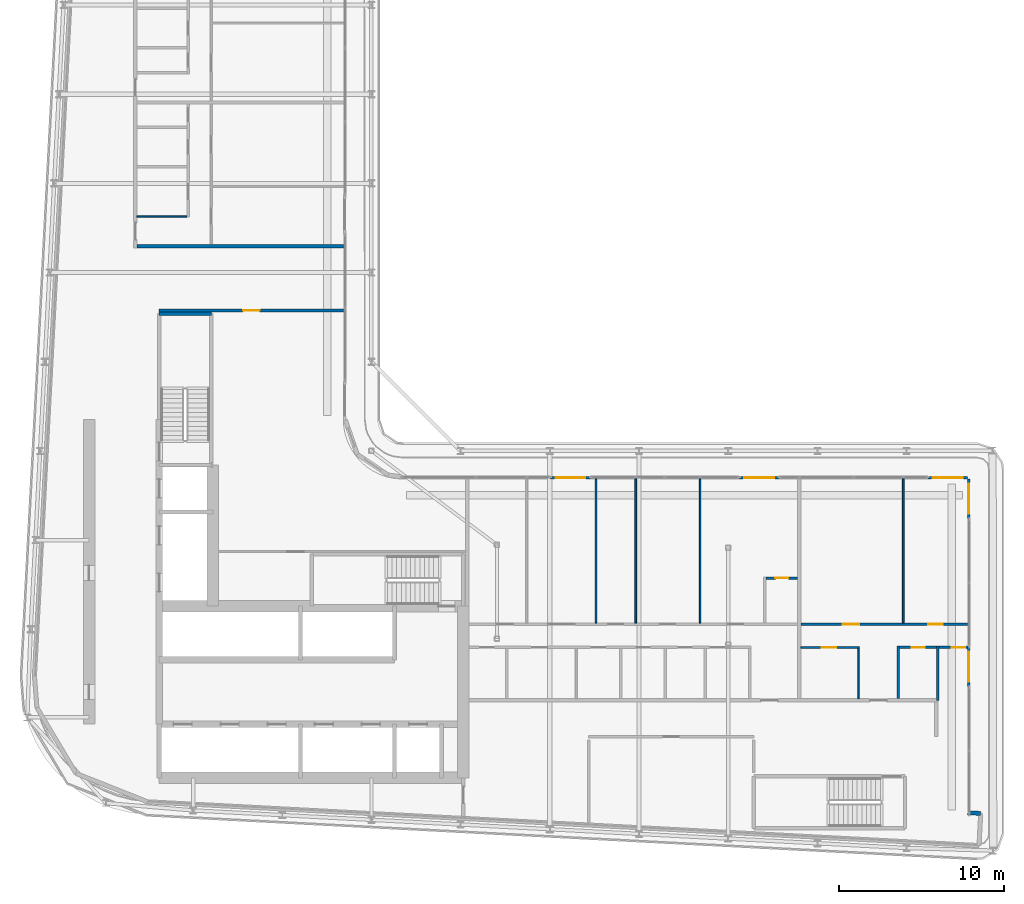
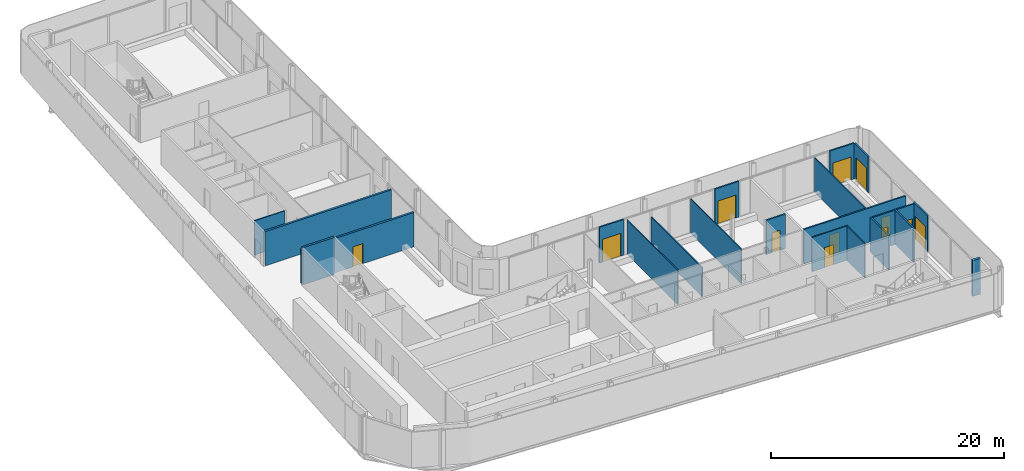
# One storey, part 12 of 21: 22 walls, 12 doors, 12 openings.
"""IFC4 building model written with IfcOpenShell, lengths in metres."""

from ifc_helpers import new_model, si_unit, direction, frame, frame_2d, origin, place, context, subcontext, project, spatial, rectangle, extrude, source, transform, mapped, material, layer, layer_set, type_object, element, fill, save


model = new_model("IFC4")

# Units and contexts
model_context = context("Model", 3, precision=1e-05, world=origin(), true_north=direction((0.0, 1.0)))
body_context = subcontext(model_context, "Body", "Model", "MODEL_VIEW")
ifc_project = project(units=[si_unit("LENGTHUNIT", "METRE"), si_unit("AREAUNIT", "SQUARE_METRE"), si_unit("VOLUMEUNIT", "CUBIC_METRE"), si_unit("PLANEANGLEUNIT", "RADIAN"), si_unit("MASSUNIT", "GRAM", prefix="KILO")], contexts=[model_context])

# Site, building, storey
site_placement = place(None, origin())
site = spatial("IfcSite", under=ifc_project, at=site_placement, CompositionType="ELEMENT")
building_placement = place(site_placement, origin())
building = spatial("IfcBuilding", under=site, at=building_placement, Name="Kheshtan School and Residences Tower", CompositionType="ELEMENT")
storey_placement = place(building_placement, frame((0.0, 0.0, 227.89990234375)))
storey = spatial("IfcBuildingStorey", under=building, at=storey_placement, Name="L53", CompositionType="ELEMENT", Elevation=227.89990234375)

# Wall
ifc_material_1 = material(Name="Gypsum board on steel studs with fire boards", Category="steel")
ifc_layer_1 = layer(ifc_material_1, 0.199951171875)
ifc_layer_set_1 = layer_set([ifc_layer_1], Name="Corridor wall 200")
wall_type_1 = type_object("IfcWallType", Name="Corridor wall 200", PredefinedType="PARTITIONING", material=ifc_layer_set_1)
wall_1_placement = place(storey_placement, frame((33.39990234375, 58.0, 0.0), z_axis=(0.0, 0.0, 1.0), x_axis=(1.0, 0.0, 0.0)))
element("IfcWall", 1, at=wall_1_placement, inside=storey, type_object=wall_type_1, Name="Partition L53-005", PredefinedType="PARTITIONING", context=body_context, shape_type="SweptSolid", body=[
    extrude(rectangle(XDim=12.5, YDim=0.199951171875, at=frame_2d((6.25, 0.0))), origin(), (0.0, 0.0, 1.0), 3.60009765625),
])

# Wall, opening, door
wall_2_placement = place(storey_placement, frame((34.75, 54.10009765625, 0.0), z_axis=(0.0, 0.0, 1.0), x_axis=(1.0, 0.0, 0.0)))
wall_2 = element("IfcWall", 2, at=wall_2_placement, inside=storey, type_object=wall_type_1, Name="Partition L53-014", PredefinedType="PARTITIONING", context=body_context, shape_type="SweptSolid", body=[
    extrude(rectangle(XDim=11.14990234375, YDim=0.199951171875, at=frame_2d((5.574951171875, 0.0))), origin(), (0.0, 0.0, 1.0), 3.60009765625),
])
opening_1_placement = place(wall_2_placement, frame((5.074951171875, 0.0, 0.0)))
opening_1 = element("IfcOpeningElement", 3, at=opening_1_placement, cuts=wall_2, Name="Opening D52-034", PredefinedType="OPENING", context=body_context, shape_type="SweptSolid", body=[
    extrude(rectangle(XDim=1.0, YDim=2.10009765625, at=frame_2d((0.5, 1.050048828125))), frame((0.0, 0.10986328125, 0.0), z_axis=(0.0, -1.0, 0.0), x_axis=(1.0, 0.0, 0.0)), (0.0, 0.0, 1.0), 0.219970703125),
])
ifc_material_2 = material(Name="Steel-framed fire-resisting door leaf", Category="steel")
door_type_1 = type_object("IfcDoorType", Name="Fire door FD60 1000 x 2100", OperationType="SINGLE_SWING_LEFT", PredefinedType="DOOR", material=ifc_material_2)
shared_shape_1 = source(origin(), body_context, "Body", "SweptSolid", [
    extrude(rectangle(XDim=1.0, YDim=2.10009765625, at=frame_2d((0.5, 1.050048828125))), frame((0.0, 0.02490234375, 0.0), z_axis=(0.0, -1.0, 0.0), x_axis=(1.0, 0.0, 0.0)), (0.0, 0.0, 1.0), 0.050048828125),
])
door_1_placement = place(opening_1_placement, origin())
door_1 = element("IfcDoor", 4, at=door_1_placement, inside=storey, type_object=door_type_1, Name="Door D52-034", OperationType="SINGLE_SWING_LEFT", OverallHeight=2.10009765625, OverallWidth=1.0, PredefinedType="DOOR", context=body_context, shape_type="MappedRepresentation", body=[
    mapped(shared_shape_1, transform((0.0, 0.0, 0.0), x_axis=(1.0, 0.0, 0.0), y_axis=(0.0, 1.0, 0.0), z_axis=(0.0, 0.0, 1.0), scale=1.0)),
])
fill(opening_1, door_1)

# Wall
ifc_material_3 = material(Name="Concrete C40/50 with ceramic cladding and mineral wool insulation", Category="concrete")
ifc_layer_2 = layer(ifc_material_3, 0.25)
ifc_layer_set_2 = layer_set([ifc_layer_2], Name="External wall 250 ceramic clad")
wall_type_2 = type_object("IfcWallType", Name="External wall 250 ceramic clad", PredefinedType="SOLIDWALL", material=ifc_layer_set_2)
wall_3_placement = place(storey_placement, frame((83.70703125, 23.69189453125, 0.0), z_axis=(0.0, 0.0, 1.0), x_axis=(0.998561284263, -0.053622398031, 0.0)))
element("IfcWall", 5, at=wall_3_placement, inside=storey, type_object=wall_type_2, Name="External wall L53 10", PredefinedType="SOLIDWALL", context=body_context, shape_type="SweptSolid", body=[
    extrude(rectangle(XDim=0.783203125, YDim=0.25, at=frame_2d((0.3916015625, 0.0))), origin(), (0.0, 0.0, 1.0), 3.75),
])

# Wall, opening, door
ifc_material_4 = material(Name="Aluminium frame wall with insulated infill", Category="aluminium")
ifc_layer_3 = layer(ifc_material_4, 0.14990234375)
ifc_layer_set_3 = layer_set([ifc_layer_3], Name="Glazing frame wall 150")
wall_type_3 = type_object("IfcWallType", Name="Glazing frame wall 150", PredefinedType="SOLIDWALL", material=ifc_layer_set_3)
wall_4_placement = place(storey_placement, frame((58.452880859375, 43.97509765625, 0.0), z_axis=(0.0, 0.0, 1.0), x_axis=(1.0, 0.0, 0.0)))
wall_4 = element("IfcWall", 6, at=wall_4_placement, inside=storey, type_object=wall_type_3, Name="Balcony door wall L53 8.1", PredefinedType="SOLIDWALL", context=body_context, shape_type="SweptSolid", body=[
    extrude(rectangle(XDim=2.400146484375, YDim=0.14990234375, at=frame_2d((1.2001953125, 0.0))), origin(), (0.0, 0.0, 1.0), 3.75),
])
opening_2_placement = place(wall_4_placement, frame((0.300048828125, 0.0, 0.0)))
opening_2 = element("IfcOpeningElement", 7, at=opening_2_placement, cuts=wall_4, Name="Opening BD", PredefinedType="OPENING", context=body_context, shape_type="SweptSolid", body=[
    extrude(rectangle(XDim=1.800048828125, YDim=2.39990234375, at=frame_2d((0.89990234375, 1.199951171875))), frame((0.0, 0.0849609375, 0.0), z_axis=(0.0, -1.0, 0.0), x_axis=(1.0, 0.0, 0.0)), (0.0, 0.0, 1.0), 0.169921875),
])
ifc_material_5 = material(Name="Clear low-e glass in thermally broken aluminium frame", Category="aluminium")
door_type_2 = type_object("IfcDoorType", Name="Balcony sliding door", OperationType="SLIDING_TO_LEFT", PredefinedType="DOOR", material=ifc_material_5)
shared_shape_2 = source(origin(), body_context, "Body", "SweptSolid", [
    extrude(rectangle(XDim=1.800048828125, YDim=2.39990234375, at=frame_2d((0.89990234375, 1.199951171875))), frame((0.0, 0.02490234375, 0.0), z_axis=(0.0, -1.0, 0.0), x_axis=(1.0, 0.0, 0.0)), (0.0, 0.0, 1.0), 0.050048828125),
])
door_2_placement = place(opening_2_placement, origin())
door_2 = element("IfcDoor", 8, at=door_2_placement, inside=storey, type_object=door_type_2, Name="Balcony door L53 8.1", OperationType="SLIDING_TO_LEFT", OverallHeight=2.39990234375, OverallWidth=1.800048828125, PredefinedType="DOOR", context=body_context, shape_type="MappedRepresentation", body=[
    mapped(shared_shape_2, transform((0.0, 0.0, 0.0), x_axis=(1.0, 0.0, 0.0), y_axis=(0.0, 1.0, 0.0), z_axis=(0.0, 0.0, 1.0), scale=1.0)),
])
fill(opening_2, door_2)

wall_5_placement = place(storey_placement, frame((69.876953125, 43.97509765625, 0.0), z_axis=(0.0, 0.0, 1.0), x_axis=(1.0, 0.0, 0.0)))
wall_5 = element("IfcWall", 9, at=wall_5_placement, inside=storey, type_object=wall_type_3, Name="Balcony door wall L53 8.2", PredefinedType="SOLIDWALL", context=body_context, shape_type="SweptSolid", body=[
    extrude(rectangle(XDim=2.400146484375, YDim=0.14990234375, at=frame_2d((1.2001953125, 0.0))), origin(), (0.0, 0.0, 1.0), 3.75),
])
opening_3_placement = place(wall_5_placement, frame((0.300048828125, 0.0, 0.0)))
opening_3 = element("IfcOpeningElement", 10, at=opening_3_placement, cuts=wall_5, Name="Opening BD", PredefinedType="OPENING", context=body_context, shape_type="SweptSolid", body=[
    extrude(rectangle(XDim=1.800048828125, YDim=2.39990234375, at=frame_2d((0.89990234375, 1.199951171875))), frame((0.0, 0.0849609375, 0.0), z_axis=(0.0, -1.0, 0.0), x_axis=(1.0, 0.0, 0.0)), (0.0, 0.0, 1.0), 0.169921875),
])
door_3_placement = place(opening_3_placement, origin())
door_3 = element("IfcDoor", 11, at=door_3_placement, inside=storey, type_object=door_type_2, Name="Balcony door L53 8.2", OperationType="SLIDING_TO_LEFT", OverallHeight=2.39990234375, OverallWidth=1.800048828125, PredefinedType="DOOR", context=body_context, shape_type="MappedRepresentation", body=[
    mapped(shared_shape_2, transform((0.0, 0.0, 0.0), x_axis=(1.0, 0.0, 0.0), y_axis=(0.0, 1.0, 0.0), z_axis=(0.0, 0.0, 1.0), scale=1.0)),
])
fill(opening_3, door_3)

wall_6_placement = place(storey_placement, frame((81.300048828125, 43.97509765625, 0.0), z_axis=(0.0, 0.0, 1.0), x_axis=(1.0, 0.0, 0.0)))
wall_6 = element("IfcWall", 12, at=wall_6_placement, inside=storey, type_object=wall_type_3, Name="Balcony door wall L53 8.3", PredefinedType="SOLIDWALL", context=body_context, shape_type="SweptSolid", body=[
    extrude(rectangle(XDim=2.39990234375, YDim=0.14990234375, at=frame_2d((1.199951171875, 0.0))), origin(), (0.0, 0.0, 1.0), 3.75),
])
opening_4_placement = place(wall_6_placement, frame((0.300048828125, 0.0, 0.0)))
opening_4 = element("IfcOpeningElement", 13, at=opening_4_placement, cuts=wall_6, Name="Opening BD", PredefinedType="OPENING", context=body_context, shape_type="SweptSolid", body=[
    extrude(rectangle(XDim=1.800048828125, YDim=2.39990234375, at=frame_2d((0.89990234375, 1.199951171875))), frame((0.0, 0.0849609375, 0.0), z_axis=(0.0, -1.0, 0.0), x_axis=(1.0, 0.0, 0.0)), (0.0, 0.0, 1.0), 0.169921875),
])
door_4_placement = place(opening_4_placement, origin())
door_4 = element("IfcDoor", 14, at=door_4_placement, inside=storey, type_object=door_type_2, Name="Balcony door L53 8.3", OperationType="SLIDING_TO_LEFT", OverallHeight=2.39990234375, OverallWidth=1.800048828125, PredefinedType="DOOR", context=body_context, shape_type="MappedRepresentation", body=[
    mapped(shared_shape_2, transform((0.0, 0.0, 0.0), x_axis=(1.0, 0.0, 0.0), y_axis=(0.0, 1.0, 0.0), z_axis=(0.0, 0.0, 1.0), scale=1.0)),
])
fill(opening_4, door_4)

wall_7_placement = place(storey_placement, frame((83.77490234375, 43.89990234375, 0.0), z_axis=(0.0, 0.0, 1.0), x_axis=(0.0, -1.0, 0.0)))
wall_7 = element("IfcWall", 15, at=wall_7_placement, inside=storey, type_object=wall_type_3, Name="Balcony door wall L53 9.1", PredefinedType="SOLIDWALL", context=body_context, shape_type="SweptSolid", body=[
    extrude(rectangle(XDim=2.39990234375, YDim=0.14990234375, at=frame_2d((1.199951171875, 0.0))), origin(), (0.0, 0.0, 1.0), 3.75),
])
opening_5_placement = place(wall_7_placement, frame((0.300048828125, 0.0, 0.0)))
opening_5 = element("IfcOpeningElement", 16, at=opening_5_placement, cuts=wall_7, Name="Opening BD", PredefinedType="OPENING", context=body_context, shape_type="SweptSolid", body=[
    extrude(rectangle(XDim=1.800048828125, YDim=2.39990234375, at=frame_2d((0.89990234375, 1.199951171875))), frame((0.0, 0.0849609375, 0.0), z_axis=(0.0, -1.0, 0.0), x_axis=(1.0, 0.0, 0.0)), (0.0, 0.0, 1.0), 0.169921875),
])
door_5_placement = place(opening_5_placement, origin())
door_5 = element("IfcDoor", 17, at=door_5_placement, inside=storey, type_object=door_type_2, Name="Balcony door L53 9.1", OperationType="SLIDING_TO_LEFT", OverallHeight=2.39990234375, OverallWidth=1.800048828125, PredefinedType="DOOR", context=body_context, shape_type="MappedRepresentation", body=[
    mapped(shared_shape_2, transform((0.0, 0.0, 0.0), x_axis=(1.0, 0.0, 0.0), y_axis=(0.0, 1.0, 0.0), z_axis=(0.0, 0.0, 1.0), scale=1.0)),
])
fill(opening_5, door_5)

wall_8_placement = place(storey_placement, frame((83.77490234375, 33.73291015625, 0.0), z_axis=(0.0, 0.0, 1.0), x_axis=(0.0, -1.0, 0.0)))
wall_8 = element("IfcWall", 18, at=wall_8_placement, inside=storey, type_object=wall_type_3, Name="Balcony door wall L53 9.2", PredefinedType="SOLIDWALL", context=body_context, shape_type="SweptSolid", body=[
    extrude(rectangle(XDim=2.39892578125, YDim=0.14990234375, at=frame_2d((1.199462890625, 0.0))), origin(), (0.0, 0.0, 1.0), 3.75),
])
opening_6_placement = place(wall_8_placement, frame((0.300048828125, 0.0, 0.0)))
opening_6 = element("IfcOpeningElement", 19, at=opening_6_placement, cuts=wall_8, Name="Opening BD", PredefinedType="OPENING", context=body_context, shape_type="SweptSolid", body=[
    extrude(rectangle(XDim=1.800048828125, YDim=2.39990234375, at=frame_2d((0.89990234375, 1.199951171875))), frame((0.0, 0.0849609375, 0.0), z_axis=(0.0, -1.0, 0.0), x_axis=(1.0, 0.0, 0.0)), (0.0, 0.0, 1.0), 0.169921875),
])
door_6_placement = place(opening_6_placement, origin())
door_6 = element("IfcDoor", 20, at=door_6_placement, inside=storey, type_object=door_type_2, Name="Balcony door L53 9.2", OperationType="SLIDING_TO_LEFT", OverallHeight=2.39990234375, OverallWidth=1.800048828125, PredefinedType="DOOR", context=body_context, shape_type="MappedRepresentation", body=[
    mapped(shared_shape_2, transform((0.0, 0.0, 0.0), x_axis=(1.0, 0.0, 0.0), y_axis=(0.0, 1.0, 0.0), z_axis=(0.0, 0.0, 1.0), scale=1.0)),
])
fill(opening_6, door_6)

# Walls
ifc_material_6 = material(Name="Gypsum board on steel studs", Category="steel")
ifc_layer_4 = layer(ifc_material_6, 0.10009765625)
ifc_layer_set_4 = layer_set([ifc_layer_4], Name="Gypsum partition 100")
wall_type_4 = type_object("IfcWallType", Name="Gypsum partition 100", PredefinedType="PARTITIONING", material=ifc_layer_set_4)
wall_9_placement = place(storey_placement, frame((33.39990234375, 59.800048828125, 0.0), z_axis=(0.0, 0.0, 1.0), x_axis=(1.0, 0.0, 0.0)))
element("IfcWall", 21, at=wall_9_placement, inside=storey, type_object=wall_type_4, Name="Partition L53-006", PredefinedType="PARTITIONING", context=body_context, shape_type="SweptSolid", body=[
    extrude(rectangle(XDim=3.025146484375, YDim=0.10009765625, at=frame_2d((1.5126953125, 0.0))), origin(), (0.0, 0.0, 1.0), 3.60009765625),
])
wall_10_placement = place(storey_placement, frame((61.199951171875, 35.175048828125, 0.0), z_axis=(0.0, 0.0, 1.0), x_axis=(0.0, 1.0, 0.0)))
element("IfcWall", 22, at=wall_10_placement, inside=storey, type_object=wall_type_4, Name="Partition L53-030", PredefinedType="PARTITIONING", context=body_context, shape_type="SweptSolid", body=[
    extrude(rectangle(XDim=8.724853515625, YDim=0.10009765625, at=frame_2d((4.3623046875, 0.0))), origin(), (0.0, 0.0, 1.0), 3.60009765625),
])
wall_11_placement = place(storey_placement, frame((63.60009765625, 35.175048828125, 0.0), z_axis=(0.0, 0.0, 1.0), x_axis=(0.0, 1.0, 0.0)))
element("IfcWall", 23, at=wall_11_placement, inside=storey, type_object=wall_type_4, Name="Partition L53-032", PredefinedType="PARTITIONING", context=body_context, shape_type="SweptSolid", body=[
    extrude(rectangle(XDim=8.724853515625, YDim=0.10009765625, at=frame_2d((4.3623046875, 0.0))), origin(), (0.0, 0.0, 1.0), 3.072021484375),
])
wall_12_placement = place(storey_placement, frame((67.5, 35.175048828125, 0.0), z_axis=(0.0, 0.0, 1.0), x_axis=(0.0, 1.0, 0.0)))
element("IfcWall", 24, at=wall_12_placement, inside=storey, type_object=wall_type_4, Name="Partition L53-034", PredefinedType="PARTITIONING", context=body_context, shape_type="SweptSolid", body=[
    extrude(rectangle(XDim=8.724853515625, YDim=0.10009765625, at=frame_2d((4.3623046875, 0.0))), origin(), (0.0, 0.0, 1.0), 3.60009765625),
])

# Wall, opening, door
wall_13_placement = place(storey_placement, frame((73.60009765625, 33.699951171875, 0.0), z_axis=(0.0, 0.0, 1.0), x_axis=(1.0, 0.0, 0.0)))
wall_13 = element("IfcWall", 25, at=wall_13_placement, inside=storey, type_object=wall_type_4, Name="Partition L53-040", PredefinedType="PARTITIONING", context=body_context, shape_type="SweptSolid", body=[
    extrude(rectangle(XDim=3.5498046875, YDim=0.10009765625, at=frame_2d((1.77490234375, 0.0))), origin(), (0.0, 0.0, 1.0), 3.60009765625),
])
opening_7_placement = place(wall_13_placement, frame((1.25, 0.0, 0.0)))
opening_7 = element("IfcOpeningElement", 26, at=opening_7_placement, cuts=wall_13, Name="Opening D52-017", PredefinedType="OPENING", context=body_context, shape_type="SweptSolid", body=[
    extrude(rectangle(XDim=0.89990234375, YDim=2.10009765625, at=frame_2d((0.449951171875, 1.050048828125))), frame((0.0, 0.06005859375, 0.0), z_axis=(0.0, -1.0, 0.0), x_axis=(1.0, 0.0, 0.0)), (0.0, 0.0, 1.0), 0.1201171875),
])
ifc_material_7 = material(Name="Veneered timber door leaf", Category="wood")
door_type_3 = type_object("IfcDoorType", Name="Door 900 x 2100", OperationType="SINGLE_SWING_LEFT", PredefinedType="DOOR", material=ifc_material_7)
shared_shape_3 = source(origin(), body_context, "Body", "SweptSolid", [
    extrude(rectangle(XDim=0.89990234375, YDim=2.10009765625, at=frame_2d((0.449951171875, 1.050048828125))), frame((0.0, 0.02490234375, 0.0), z_axis=(0.0, -1.0, 0.0), x_axis=(1.0, 0.0, 0.0)), (0.0, 0.0, 1.0), 0.050048828125),
])
door_7_placement = place(opening_7_placement, origin())
door_7 = element("IfcDoor", 27, at=door_7_placement, inside=storey, type_object=door_type_3, Name="Door D52-017", OperationType="SINGLE_SWING_LEFT", OverallHeight=2.10009765625, OverallWidth=0.89990234375, PredefinedType="DOOR", context=body_context, shape_type="MappedRepresentation", body=[
    mapped(shared_shape_3, transform((0.0, 0.0, 0.0), x_axis=(1.0, 0.0, 0.0), y_axis=(0.0, 1.0, 0.0), z_axis=(0.0, 0.0, 1.0), scale=1.0)),
])
fill(opening_7, door_7)

# Walls
wall_14_placement = place(storey_placement, frame((77.10009765625, 30.60009765625, 0.0), z_axis=(0.0, 0.0, 1.0), x_axis=(0.0, 1.0, 0.0)))
element("IfcWall", 28, at=wall_14_placement, inside=storey, type_object=wall_type_4, Name="Partition L53-042", PredefinedType="PARTITIONING", context=body_context, shape_type="SweptSolid", body=[
    extrude(rectangle(XDim=3.0498046875, YDim=0.10009765625, at=frame_2d((1.52490234375, 0.0))), origin(), (0.0, 0.0, 1.0), 3.60009765625),
])
wall_15_placement = place(storey_placement, frame((79.800048828125, 35.175048828125, 0.0), z_axis=(0.0, 0.0, 1.0), x_axis=(0.0, 1.0, 0.0)))
element("IfcWall", 29, at=wall_15_placement, inside=storey, type_object=wall_type_4, Name="Partition L53-045", PredefinedType="PARTITIONING", context=body_context, shape_type="SweptSolid", body=[
    extrude(rectangle(XDim=8.724853515625, YDim=0.10009765625, at=frame_2d((4.3623046875, 0.0))), origin(), (0.0, 0.0, 1.0), 3.60009765625),
])
ifc_material_8 = material(Name="Concrete C40/50", Category="concrete")
ifc_layer_5 = layer(ifc_material_8, 0.199951171875)
ifc_layer_set_5 = layer_set([ifc_layer_5], Name="Stair enclosure wall 200 Concrete C40/50")
wall_type_5 = type_object("IfcWallType", Name="Stair enclosure wall 200 Concrete C40/50", PredefinedType="SHEAR", material=ifc_layer_set_5)
wall_16_placement = place(storey_placement, frame((34.75, 53.909912109375, 0.0), z_axis=(0.0, 0.0, 1.0), x_axis=(1.0, 0.0, 0.0)))
element("IfcWall", 30, at=wall_16_placement, inside=storey, type_object=wall_type_5, Name="Stair enclosure wall ST2", PredefinedType="SHEAR", context=body_context, shape_type="SweptSolid", body=[
    extrude(rectangle(XDim=3.14990234375, YDim=0.199951171875, at=frame_2d((1.574951171875, 0.0))), origin(), (0.0, 0.0, 1.0), 3.900146484375),
])

# Wall, opening, door
ifc_material_9 = material(Name="Moisture-resistant gypsum board on steel studs", Category="steel")
ifc_layer_6 = layer(ifc_material_9, 0.14990234375)
ifc_layer_set_6 = layer_set([ifc_layer_6], Name="Wet-room partition 150")
wall_type_6 = type_object("IfcWallType", Name="Wet-room partition 150", PredefinedType="PARTITIONING", material=ifc_layer_set_6)
wall_17_placement = place(storey_placement, frame((71.47509765625, 37.89990234375, 0.0), z_axis=(0.0, 0.0, 1.0), x_axis=(1.0, 0.0, 0.0)))
wall_17 = element("IfcWall", 31, at=wall_17_placement, inside=storey, type_object=wall_type_6, Name="Partition L53-038", PredefinedType="PARTITIONING", context=body_context, shape_type="SweptSolid", body=[
    extrude(rectangle(XDim=1.9248046875, YDim=0.14990234375, at=frame_2d((0.96240234375, 0.0))), origin(), (0.0, 0.0, 1.0), 3.60009765625),
])
opening_8_placement = place(wall_17_placement, frame((0.574951171875, 0.0, 0.0)))
opening_8 = element("IfcOpeningElement", 32, at=opening_8_placement, cuts=wall_17, Name="Opening D52-006", PredefinedType="OPENING", context=body_context, shape_type="SweptSolid", body=[
    extrude(rectangle(XDim=0.800048828125, YDim=2.10009765625, at=frame_2d((0.39990234375, 1.050048828125))), frame((0.0, 0.0849609375, 0.0), z_axis=(0.0, -1.0, 0.0), x_axis=(1.0, 0.0, 0.0)), (0.0, 0.0, 1.0), 0.169921875),
])
door_type_4 = type_object("IfcDoorType", Name="Door 800 x 2100", OperationType="SINGLE_SWING_LEFT", PredefinedType="DOOR", material=ifc_material_7)
shared_shape_4 = source(origin(), body_context, "Body", "SweptSolid", [
    extrude(rectangle(XDim=0.800048828125, YDim=2.10009765625, at=frame_2d((0.39990234375, 1.050048828125))), frame((0.0, 0.02490234375, 0.0), z_axis=(0.0, -1.0, 0.0), x_axis=(1.0, 0.0, 0.0)), (0.0, 0.0, 1.0), 0.050048828125),
])
door_8_placement = place(opening_8_placement, origin())
door_8 = element("IfcDoor", 33, at=door_8_placement, inside=storey, type_object=door_type_4, Name="Door D52-006", OperationType="SINGLE_SWING_LEFT", OverallHeight=2.10009765625, OverallWidth=0.800048828125, PredefinedType="DOOR", context=body_context, shape_type="MappedRepresentation", body=[
    mapped(shared_shape_4, transform((0.0, 0.0, 0.0), x_axis=(1.0, 0.0, 0.0), y_axis=(0.0, 1.0, 0.0), z_axis=(0.0, 0.0, 1.0), scale=1.0)),
])
fill(opening_8, door_8)

# Wall, openings, doors
wall_18_placement = place(storey_placement, frame((73.60009765625, 35.10009765625, 0.0), z_axis=(0.0, 0.0, 1.0), x_axis=(1.0, 0.0, 0.0)))
wall_18 = element("IfcWall", 34, at=wall_18_placement, inside=storey, type_object=wall_type_6, Name="Partition L53-041", PredefinedType="PARTITIONING", context=body_context, shape_type="SweptSolid", body=[
    extrude(rectangle(XDim=10.099853515625, YDim=0.14990234375, at=frame_2d((5.0498046875, 0.0))), origin(), (0.0, 0.0, 1.0), 3.60009765625),
])
opening_9_placement = place(wall_18_placement, frame((7.699951171875, 0.0, 0.0)))
opening_9 = element("IfcOpeningElement", 35, at=opening_9_placement, cuts=wall_18, Name="Opening D52-015", PredefinedType="OPENING", context=body_context, shape_type="SweptSolid", body=[
    extrude(rectangle(XDim=0.89990234375, YDim=2.10009765625, at=frame_2d((0.449951171875, 1.050048828125))), frame((0.0, 0.0849609375, 0.0), z_axis=(0.0, -1.0, 0.0), x_axis=(1.0, 0.0, 0.0)), (0.0, 0.0, 1.0), 0.169921875),
])
opening_10_placement = place(wall_18_placement, frame((2.550048828125, 0.0, 0.0)))
opening_10 = element("IfcOpeningElement", 36, at=opening_10_placement, cuts=wall_18, Name="Opening D52-018", PredefinedType="OPENING", context=body_context, shape_type="SweptSolid", body=[
    extrude(rectangle(XDim=1.0, YDim=2.10009765625, at=frame_2d((0.5, 1.050048828125))), frame((0.0, 0.0849609375, 0.0), z_axis=(0.0, -1.0, 0.0), x_axis=(1.0, 0.0, 0.0)), (0.0, 0.0, 1.0), 0.169921875),
])
door_type_5 = type_object("IfcDoorType", Name="Door 1000 x 2100", OperationType="SINGLE_SWING_LEFT", PredefinedType="DOOR", material=ifc_material_7)
shared_shape_5 = source(origin(), body_context, "Body", "SweptSolid", [
    extrude(rectangle(XDim=1.0, YDim=2.10009765625, at=frame_2d((0.5, 1.050048828125))), frame((0.0, 0.02490234375, 0.0), z_axis=(0.0, -1.0, 0.0), x_axis=(1.0, 0.0, 0.0)), (0.0, 0.0, 1.0), 0.050048828125),
])
door_9_placement = place(opening_10_placement, origin())
door_9 = element("IfcDoor", 37, at=door_9_placement, inside=storey, type_object=door_type_5, Name="Door D52-018", OperationType="SINGLE_SWING_LEFT", OverallHeight=2.10009765625, OverallWidth=1.0, PredefinedType="DOOR", context=body_context, shape_type="MappedRepresentation", body=[
    mapped(shared_shape_5, transform((0.0, 0.0, 0.0), x_axis=(1.0, 0.0, 0.0), y_axis=(0.0, 1.0, 0.0), z_axis=(0.0, 0.0, 1.0), scale=1.0)),
])
fill(opening_10, door_9)
door_10_placement = place(opening_9_placement, origin())
door_10 = element("IfcDoor", 38, at=door_10_placement, inside=storey, type_object=door_type_3, Name="Door D52-015", OperationType="SINGLE_SWING_RIGHT", OverallHeight=2.10009765625, OverallWidth=0.89990234375, PredefinedType="DOOR", context=body_context, shape_type="MappedRepresentation", body=[
    mapped(shared_shape_3, transform((0.0, 0.0, 0.0), x_axis=(1.0, 0.0, 0.0), y_axis=(0.0, 1.0, 0.0), z_axis=(0.0, 0.0, 1.0), scale=1.0)),
])
fill(opening_9, door_10)

# Wall
wall_19_placement = place(storey_placement, frame((79.5, 30.60009765625, 0.0), z_axis=(0.0, 0.0, 1.0), x_axis=(0.0, 1.0, 0.0)))
element("IfcWall", 39, at=wall_19_placement, inside=storey, type_object=wall_type_6, Name="Partition L53-043", PredefinedType="PARTITIONING", context=body_context, shape_type="SweptSolid", body=[
    extrude(rectangle(XDim=3.1748046875, YDim=0.14990234375, at=frame_2d((1.58740234375, 0.0))), origin(), (0.0, 0.0, 1.0), 3.60009765625),
])

# Wall, opening, door
wall_20_placement = place(storey_placement, frame((79.574951171875, 33.699951171875, 0.0), z_axis=(0.0, 0.0, 1.0), x_axis=(1.0, 0.0, 0.0)))
wall_20 = element("IfcWall", 40, at=wall_20_placement, inside=storey, type_object=wall_type_6, Name="Partition L53-044", PredefinedType="PARTITIONING", context=body_context, shape_type="SweptSolid", body=[
    extrude(rectangle(XDim=2.22509765625, YDim=0.14990234375, at=frame_2d((1.112548828125, 0.0))), origin(), (0.0, 0.0, 1.0), 3.60009765625),
])
opening_11_placement = place(wall_20_placement, frame((0.72509765625, 0.0, 0.0)))
opening_11 = element("IfcOpeningElement", 41, at=opening_11_placement, cuts=wall_20, Name="Opening D52-014", PredefinedType="OPENING", context=body_context, shape_type="SweptSolid", body=[
    extrude(rectangle(XDim=0.800048828125, YDim=2.10009765625, at=frame_2d((0.39990234375, 1.050048828125))), frame((0.0, 0.0849609375, 0.0), z_axis=(0.0, -1.0, 0.0), x_axis=(1.0, 0.0, 0.0)), (0.0, 0.0, 1.0), 0.169921875),
])
door_11_placement = place(opening_11_placement, origin())
door_11 = element("IfcDoor", 42, at=door_11_placement, inside=storey, type_object=door_type_4, Name="Door D52-014", OperationType="SINGLE_SWING_RIGHT", OverallHeight=2.10009765625, OverallWidth=0.800048828125, PredefinedType="DOOR", context=body_context, shape_type="MappedRepresentation", body=[
    mapped(shared_shape_4, transform((0.0, 0.0, 0.0), x_axis=(1.0, 0.0, 0.0), y_axis=(0.0, 1.0, 0.0), z_axis=(0.0, 0.0, 1.0), scale=1.0)),
])
fill(opening_11, door_11)

# Wall
wall_21_placement = place(storey_placement, frame((81.89990234375, 30.5, 0.0), z_axis=(0.0, 0.0, 1.0), x_axis=(0.0, 1.0, 0.0)))
element("IfcWall", 43, at=wall_21_placement, inside=storey, type_object=wall_type_6, Name="Partition L53-047", PredefinedType="PARTITIONING", context=body_context, shape_type="SweptSolid", body=[
    extrude(rectangle(XDim=3.27490234375, YDim=0.14990234375, at=frame_2d((1.637451171875, 0.0))), origin(), (0.0, 0.0, 1.0), 3.60009765625),
])

# Wall, opening, door
wall_22_placement = place(storey_placement, frame((81.97509765625, 33.699951171875, 0.0), z_axis=(0.0, 0.0, 1.0), x_axis=(1.0, 0.0, 0.0)))
wall_22 = element("IfcWall", 44, at=wall_22_placement, inside=storey, type_object=wall_type_6, Name="Partition L53-048", PredefinedType="PARTITIONING", context=body_context, shape_type="SweptSolid", body=[
    extrude(rectangle(XDim=1.724853515625, YDim=0.14990234375, at=frame_2d((0.8623046875, 0.0))), origin(), (0.0, 0.0, 1.0), 3.60009765625),
])
opening_12_placement = place(wall_22_placement, frame((0.77490234375, 0.0, 0.0)))
opening_12 = element("IfcOpeningElement", 45, at=opening_12_placement, cuts=wall_22, Name="Opening D52-019", PredefinedType="OPENING", context=body_context, shape_type="SweptSolid", body=[
    extrude(rectangle(XDim=0.800048828125, YDim=2.10009765625, at=frame_2d((0.39990234375, 1.050048828125))), frame((0.0, 0.0849609375, 0.0), z_axis=(0.0, -1.0, 0.0), x_axis=(1.0, 0.0, 0.0)), (0.0, 0.0, 1.0), 0.169921875),
])
door_12_placement = place(opening_12_placement, origin())
door_12 = element("IfcDoor", 46, at=door_12_placement, inside=storey, type_object=door_type_4, Name="Door D52-019", OperationType="SINGLE_SWING_LEFT", OverallHeight=2.10009765625, OverallWidth=0.800048828125, PredefinedType="DOOR", context=body_context, shape_type="MappedRepresentation", body=[
    mapped(shared_shape_4, transform((0.0, 0.0, 0.0), x_axis=(1.0, 0.0, 0.0), y_axis=(0.0, 1.0, 0.0), z_axis=(0.0, 0.0, 1.0), scale=1.0)),
])
fill(opening_12, door_12)

save(model, "model.ifc")
